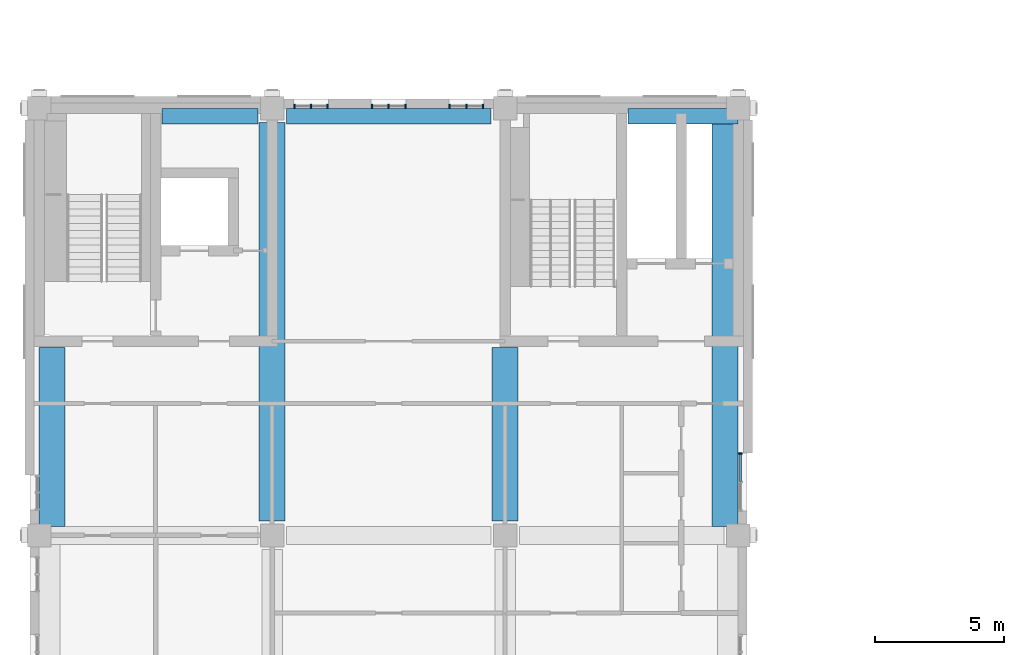
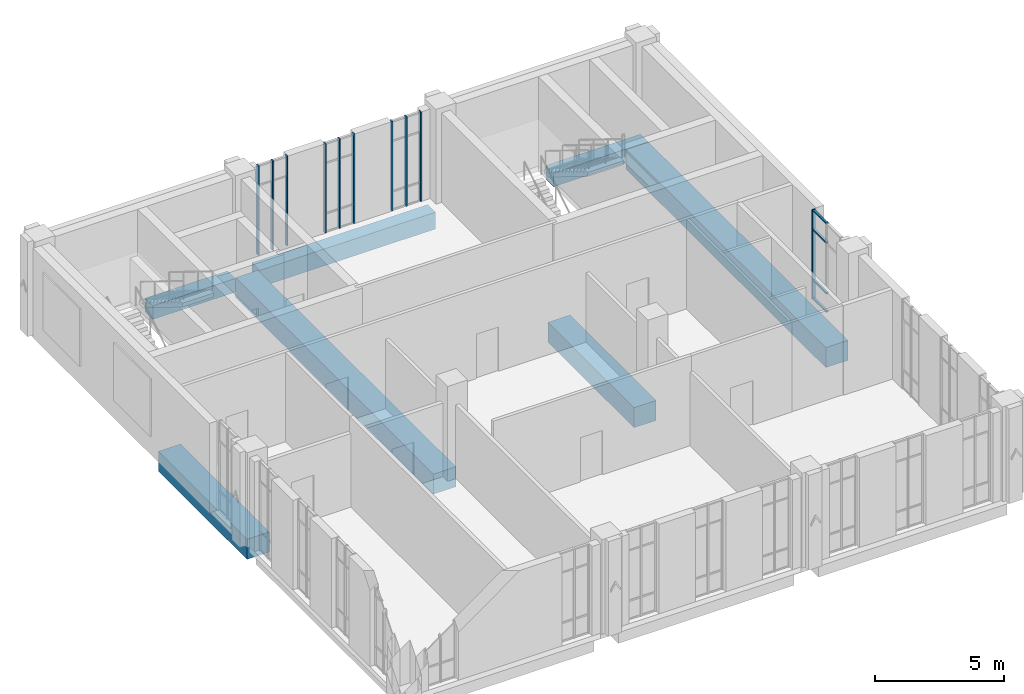
# One storey, part 5 of 25: 14 members, 7 beams, 4 elements without a shape of their own.
"""IFC4 building model written with IfcOpenShell, lengths in metres."""

import ifcopenshell
import ifcopenshell.guid

model = None  # the IFC model being written
_history = None  # IfcOwnerHistory: only IFC2X3 demands one
_inside = {}  # id of a spatial element -> (the spatial element, [elements in it])
_under = {}  # id of a project, library or spatial element -> (it, [spatial elements below it])
_declared = {}  # id of a project -> (the project, [libraries it declares])
_typed = {}  # id of a type object -> (the type object, [elements of that type])
_made_of = {}  # id of a material, layer set ... -> (it, [elements and type objects made of it])


def new_model(schema):
    """Start an empty IFC model of exactly this schema.

    Asked for "IFC4X3", IfcOpenShell would pick the latest addendum, in which some entities
    have other attributes; the version numbers below select the first issue.
    IFC2X3 requires an IfcOwnerHistory on every rooted entity: one is made here for all.
    """
    global model, _history
    if schema == "IFC4X3":
        model = ifcopenshell.file(schema_version=(4, 3, 0, 0))
    else:
        model = ifcopenshell.file(schema=schema)
    _inside.clear()
    _under.clear()
    _declared.clear()
    _typed.clear()
    _made_of.clear()
    _history = None
    if model.schema == "IFC2X3":
        org = make("IfcOrganization", Name="unknown")
        user = make(
            "IfcPersonAndOrganization",
            ThePerson=make("IfcPerson", FamilyName="unknown"),
            TheOrganization=org,
        )
        app = make(
            "IfcApplication",
            ApplicationDeveloper=org,
            Version="unknown",
            ApplicationFullName="unknown",
            ApplicationIdentifier="unknown",
        )
        _history = make(
            "IfcOwnerHistory",
            OwningUser=user,
            OwningApplication=app,
            ChangeAction="ADDED",
            CreationDate=0,
        )
    return model


def make(cls, **values):
    """One entity of the class cls with the attributes given. An attribute that is None is left unset."""
    return model.create_entity(
        cls, **{name: value for name, value in values.items() if value is not None}
    )


def rooted(cls, **values):
    """An entity with a GlobalId (a new one), such as an element, a storey or a relation."""
    return make(cls, GlobalId=ifcopenshell.guid.new(), OwnerHistory=_history, **values)


def si_unit(unit_type, name, prefix=None):
    """IfcSIUnit, for example si_unit("LENGTHUNIT", "METRE", prefix="MILLI")."""
    return make("IfcSIUnit", UnitType=unit_type, Prefix=prefix, Name=name)


def assignment(units):
    """IfcUnitAssignment: the units of a project."""
    return None if units is None else make("IfcUnitAssignment", Units=units)


def point(xyz):
    """IfcCartesianPoint."""
    return None if xyz is None else make("IfcCartesianPoint", Coordinates=xyz)


def direction(xyz):
    """IfcDirection."""
    return None if xyz is None else make("IfcDirection", DirectionRatios=xyz)


def frame(location, z_axis=None, x_axis=None):
    """IfcAxis2Placement3D, a coordinate frame: its origin and axes. An axis left out is left unset."""
    return make(
        "IfcAxis2Placement3D",
        Location=point(location),
        Axis=direction(z_axis),
        RefDirection=direction(x_axis),
    )


def frame_2d(location, x_axis=None):
    """IfcAxis2Placement2D, a coordinate frame in the plane: its origin and x axis."""
    return make(
        "IfcAxis2Placement2D", Location=point(location), RefDirection=direction(x_axis)
    )


def origin():
    """The frame at (0, 0, 0) with its axes left unset."""
    return frame((0.0, 0.0, 0.0))


def origin_2d():
    """The frame at (0, 0) in the plane with its x axis left unset."""
    return frame_2d((0.0, 0.0))


def place(relative_to, where):
    """IfcLocalPlacement: puts the frame where relative to a parent placement (None: the world)."""
    return make(
        "IfcLocalPlacement", PlacementRelTo=relative_to, RelativePlacement=where
    )


def context(
    kind, dimensions, precision=None, world=None, true_north=None, identifier=None
):
    """IfcGeometricRepresentationContext, for example the 3D "Model" context."""
    return make(
        "IfcGeometricRepresentationContext",
        ContextIdentifier=identifier,
        ContextType=kind,
        CoordinateSpaceDimension=dimensions,
        Precision=precision,
        WorldCoordinateSystem=world,
        TrueNorth=true_north,
    )


def subcontext(parent, identifier, kind, view, scale=None):
    """IfcGeometricRepresentationSubContext, for example "Body" below "Model"."""
    return make(
        "IfcGeometricRepresentationSubContext",
        ContextIdentifier=identifier,
        ContextType=kind,
        ParentContext=parent,
        TargetScale=scale,
        TargetView=view,
    )


def project(units=None, contexts=None):
    """IfcProject with its units and contexts."""
    return rooted(
        "IfcProject",
        Name="project",
        RepresentationContexts=contexts,
        UnitsInContext=assignment(units),
    )


def spatial(cls, under=None, at=None, **own):
    """A site, building, storey or space (cls), placed at a placement, below another one or the project."""
    s = rooted(cls, ObjectPlacement=at, **own)
    if under is not None:
        _under.setdefault(under.id(), (under, []))[1].append(s)
    return s


def profile(cls, at=None, kind="AREA", **sizes):
    """A parametric profile (cls). Its sizes go by their IFC names, for example OverallWidth=200.0."""
    return make(cls, ProfileType=kind, Position=at, **sizes)


def rectangle(**sizes):
    """IfcRectangleProfileDef."""
    return profile("IfcRectangleProfileDef", **sizes)


def extrude(swept, where, along, depth):
    """IfcExtrudedAreaSolid: the profile swept, set in the frame where, extruded along a direction by depth."""
    return make(
        "IfcExtrudedAreaSolid",
        SweptArea=swept,
        Position=where,
        ExtrudedDirection=direction(along),
        Depth=depth,
    )


def shape(context_of_items, identifier, shape_type, items):
    """IfcShapeRepresentation: the items that make up one representation, for example the "Body"."""
    return make(
        "IfcShapeRepresentation",
        ContextOfItems=context_of_items,
        RepresentationIdentifier=identifier,
        RepresentationType=shape_type,
        Items=items,
    )


def material(Name=None, Category=None):
    """IfcMaterial."""
    return make("IfcMaterial", Name=Name, Category=Category)


def layer(
    of_material, thickness, ventilated=None, Name=None, Category=None, Priority=None
):
    """IfcMaterialLayer: one layer of a wall or slab, of a material (None: an air gap)."""
    return make(
        "IfcMaterialLayer",
        Material=of_material,
        LayerThickness=thickness,
        IsVentilated=ventilated,
        Name=Name,
        Category=Category,
        Priority=Priority,
    )


def layer_set(layers, Name=None):
    """IfcMaterialLayerSet."""
    return make("IfcMaterialLayerSet", MaterialLayers=layers, LayerSetName=Name)


def material_profile(
    of_material, cross_section, Name=None, Category=None, Priority=None
):
    """IfcMaterialProfile: a cross section and its material."""
    return make(
        "IfcMaterialProfile",
        Name=Name,
        Material=of_material,
        Profile=cross_section,
        Priority=Priority,
        Category=Category,
    )


def profile_set(profiles, Name=None, composite=None):
    """IfcMaterialProfileSet."""
    return make(
        "IfcMaterialProfileSet",
        Name=Name,
        MaterialProfiles=profiles,
        CompositeProfile=composite,
    )


def made_of(thing, what):
    """Note that an element or type object is made of a material, layer set ...; save() writes the relation."""
    if what is not None:
        _made_of.setdefault(what.id(), (what, []))[1].append(thing)
    return thing


def type_object(cls, material=None, **own):
    """A type object (cls), such as IfcWallType, which elements share."""
    return made_of(rooted(cls, **own), material)


def element(
    cls,
    number,
    at=None,
    inside=None,
    cuts=None,
    type_object=None,
    material=None,
    context=None,
    identifier="Body",
    shape_type=None,
    held_by="IfcProductDefinitionShape",
    body=None,
    shapes=None,
    **own,
):
    """One element of the class cls, such as IfcWall. Its Tag is "e" and its number.

    at: its placement. inside: the storey or other place that contains it. cuts: it is an
    opening in that element (IfcRelVoidsElement). A single representation is given by context,
    identifier, shape_type and body (its items); several are given by shapes. held_by: the class
    of the entity that holds the representations. save() writes the other relations.
    """
    e = rooted(cls, Tag="e%d" % number, ObjectPlacement=at, **own)
    if body is not None:
        shapes = [shape(context, identifier, shape_type, body)]
    if shapes is not None:
        e.Representation = make(held_by, Representations=shapes)
    if inside is not None:
        _inside.setdefault(inside.id(), (inside, []))[1].append(e)
    if cuts is not None:
        rooted(
            "IfcRelVoidsElement", RelatingBuildingElement=cuts, RelatedOpeningElement=e
        )
    if type_object is not None:
        _typed.setdefault(type_object.id(), (type_object, []))[1].append(e)
    return made_of(e, material)


def aggregate(whole, parts):
    """IfcRelAggregates: a whole, such as a stair, and the parts it consists of."""
    return rooted("IfcRelAggregates", RelatingObject=whole, RelatedObjects=parts)


def save(model, path):
    """Write the relations noted so far, then the file.

    IfcRelAggregates (storeys below a building ...), IfcRelContainedInSpatialStructure (elements
    in a storey), IfcRelDefinesByType, IfcRelAssociatesMaterial and IfcRelDeclares: one each for
    every whole, place, type object, material and project.
    """
    for whole, parts in _under.values():
        aggregate(whole, parts)
    for where, things in _inside.values():
        rooted(
            "IfcRelContainedInSpatialStructure",
            RelatedElements=things,
            RelatingStructure=where,
        )
    for kind, things in _typed.values():
        rooted("IfcRelDefinesByType", RelatedObjects=things, RelatingType=kind)
    for what, things in _made_of.values():
        rooted("IfcRelAssociatesMaterial", RelatedObjects=things, RelatingMaterial=what)
    for by, libraries in _declared.values():
        rooted("IfcRelDeclares", RelatingContext=by, RelatedDefinitions=libraries)
    model.write(path)


model = new_model("IFC4")

# Units and contexts
model_context = context("Model", 3, precision=1e-05, world=origin(), true_north=direction((0.0, 1.0)))
body_context = subcontext(model_context, "Body", "Model", "MODEL_VIEW")
ifc_project = project(units=[si_unit("LENGTHUNIT", "METRE"), si_unit("AREAUNIT", "SQUARE_METRE"), si_unit("VOLUMEUNIT", "CUBIC_METRE"), si_unit("PLANEANGLEUNIT", "RADIAN"), si_unit("MASSUNIT", "GRAM", prefix="KILO")], contexts=[model_context])

# Site, building, storey
site_placement = place(None, origin())
site = spatial("IfcSite", under=ifc_project, at=site_placement, CompositionType="ELEMENT")
building_placement = place(site_placement, origin())
building = spatial("IfcBuilding", under=site, at=building_placement, Name="Aurelan Courthouse", CompositionType="ELEMENT")
storey_placement = place(building_placement, frame((0.0, 0.0, 44.39990234375)))
storey = spatial("IfcBuildingStorey", under=building, at=storey_placement, Name="L08", CompositionType="ELEMENT", Elevation=44.39990234375)

# Curtain wall, members
ifc_material_1 = material(Name="Bronze-finished aluminium and glass", Category="aluminium")
ifc_layer_1 = layer(ifc_material_1, 0.14990234375)
ifc_layer_set_1 = layer_set([ifc_layer_1], Name="Bronze-finished aluminium and glass")
curtain_wall_type_1 = type_object("IfcCurtainWallType", Name="Curtain wall 1350 x 4250", PredefinedType="NOTDEFINED", material=ifc_layer_set_1)
curtain_wall_1_placement = place(storey_placement, origin())
curtain_wall_1 = element("IfcCurtainWall", 1, at=curtain_wall_1_placement, inside=storey, type_object=curtain_wall_type_1, Name="Curtain wall CW-V5-L08-N01", PredefinedType="NOTDEFINED")
ifc_material_2 = material(Name="Bronze-finished aluminium", Category="aluminium")
ifc_material_profile_1 = material_profile(ifc_material_2, rectangle(XDim=0.14990234375, YDim=0.06005859375, at=origin_2d()), Name="Bronze mullion 60 x 150")
ifc_profile_set_1 = profile_set([ifc_material_profile_1], Name="Bronze-finished aluminium")
member_type_1 = type_object("IfcMemberType", Name="Curtain wall mullion 60 x 150", PredefinedType="MULLION", material=ifc_profile_set_1)
member_1_placement = place(storey_placement, frame((9.85498046875, 28.574951171875, 0.0), z_axis=(0.0, 0.0, 1.0), x_axis=(0.0, 1.0, 0.0)))
member_1 = element("IfcMember", 2, at=member_1_placement, type_object=member_type_1, Name="CW-V5-L08-N01 mullion 1", PredefinedType="MULLION", context=body_context, shape_type="SweptSolid", body=[
    extrude(rectangle(XDim=0.14990234375, YDim=0.06005859375, at=origin_2d()), origin(), (0.0, 0.0, 1.0), 4.25),
])
member_2_placement = place(storey_placement, frame((10.5, 28.574951171875, 0.0), z_axis=(0.0, 0.0, 1.0), x_axis=(0.0, 1.0, 0.0)))
member_2 = element("IfcMember", 3, at=member_2_placement, type_object=member_type_1, Name="CW-V5-L08-N01 mullion 2", PredefinedType="MULLION", context=body_context, shape_type="SweptSolid", body=[
    extrude(rectangle(XDim=0.14990234375, YDim=0.06005859375, at=origin_2d()), origin(), (0.0, 0.0, 1.0), 4.25),
])
member_3_placement = place(storey_placement, frame((11.14501953125, 28.574951171875, 0.0), z_axis=(0.0, 0.0, 1.0), x_axis=(0.0, 1.0, 0.0)))
member_3 = element("IfcMember", 4, at=member_3_placement, type_object=member_type_1, Name="CW-V5-L08-N01 mullion 3", PredefinedType="MULLION", context=body_context, shape_type="SweptSolid", body=[
    extrude(rectangle(XDim=0.14990234375, YDim=0.06005859375, at=origin_2d()), origin(), (0.0, 0.0, 1.0), 4.25),
])
aggregate(curtain_wall_1, [member_1, member_2, member_3])

curtain_wall_2_placement = place(storey_placement, origin())
curtain_wall_2 = element("IfcCurtainWall", 5, at=curtain_wall_2_placement, inside=storey, type_object=curtain_wall_type_1, Name="Curtain wall CW-V5-L08-N02", PredefinedType="NOTDEFINED")
member_4_placement = place(storey_placement, frame((12.85498046875, 28.574951171875, 0.0), z_axis=(0.0, 0.0, 1.0), x_axis=(0.0, 1.0, 0.0)))
member_4 = element("IfcMember", 6, at=member_4_placement, type_object=member_type_1, Name="CW-V5-L08-N02 mullion 1", PredefinedType="MULLION", context=body_context, shape_type="SweptSolid", body=[
    extrude(rectangle(XDim=0.14990234375, YDim=0.06005859375, at=origin_2d()), origin(), (0.0, 0.0, 1.0), 4.25),
])
member_5_placement = place(storey_placement, frame((13.5, 28.574951171875, 0.0), z_axis=(0.0, 0.0, 1.0), x_axis=(0.0, 1.0, 0.0)))
member_5 = element("IfcMember", 7, at=member_5_placement, type_object=member_type_1, Name="CW-V5-L08-N02 mullion 2", PredefinedType="MULLION", context=body_context, shape_type="SweptSolid", body=[
    extrude(rectangle(XDim=0.14990234375, YDim=0.06005859375, at=origin_2d()), origin(), (0.0, 0.0, 1.0), 4.25),
])
member_6_placement = place(storey_placement, frame((14.14501953125, 28.574951171875, 0.0), z_axis=(0.0, 0.0, 1.0), x_axis=(0.0, 1.0, 0.0)))
member_6 = element("IfcMember", 8, at=member_6_placement, type_object=member_type_1, Name="CW-V5-L08-N02 mullion 3", PredefinedType="MULLION", context=body_context, shape_type="SweptSolid", body=[
    extrude(rectangle(XDim=0.14990234375, YDim=0.06005859375, at=origin_2d()), origin(), (0.0, 0.0, 1.0), 4.25),
])
aggregate(curtain_wall_2, [member_4, member_5, member_6])

curtain_wall_3_placement = place(storey_placement, origin())
curtain_wall_3 = element("IfcCurtainWall", 9, at=curtain_wall_3_placement, inside=storey, type_object=curtain_wall_type_1, Name="Curtain wall CW-V5-L08-N03", PredefinedType="NOTDEFINED")
member_7_placement = place(storey_placement, frame((15.85498046875, 28.574951171875, 0.0), z_axis=(0.0, 0.0, 1.0), x_axis=(0.0, 1.0, 0.0)))
member_7 = element("IfcMember", 10, at=member_7_placement, type_object=member_type_1, Name="CW-V5-L08-N03 mullion 1", PredefinedType="MULLION", context=body_context, shape_type="SweptSolid", body=[
    extrude(rectangle(XDim=0.14990234375, YDim=0.06005859375, at=origin_2d()), origin(), (0.0, 0.0, 1.0), 4.25),
])
member_8_placement = place(storey_placement, frame((16.5, 28.574951171875, 0.0), z_axis=(0.0, 0.0, 1.0), x_axis=(0.0, 1.0, 0.0)))
member_8 = element("IfcMember", 11, at=member_8_placement, type_object=member_type_1, Name="CW-V5-L08-N03 mullion 2", PredefinedType="MULLION", context=body_context, shape_type="SweptSolid", body=[
    extrude(rectangle(XDim=0.14990234375, YDim=0.06005859375, at=origin_2d()), origin(), (0.0, 0.0, 1.0), 4.25),
])
member_9_placement = place(storey_placement, frame((17.14501953125, 28.574951171875, 0.0), z_axis=(0.0, 0.0, 1.0), x_axis=(0.0, 1.0, 0.0)))
member_9 = element("IfcMember", 12, at=member_9_placement, type_object=member_type_1, Name="CW-V5-L08-N03 mullion 3", PredefinedType="MULLION", context=body_context, shape_type="SweptSolid", body=[
    extrude(rectangle(XDim=0.14990234375, YDim=0.06005859375, at=origin_2d()), origin(), (0.0, 0.0, 1.0), 4.25),
])
aggregate(curtain_wall_3, [member_7, member_8, member_9])

ifc_layer_2 = layer(ifc_material_1, 0.14990234375)
ifc_layer_set_2 = layer_set([ifc_layer_2], Name="Bronze-finished aluminium and glass")
curtain_wall_type_2 = type_object("IfcCurtainWallType", Name="Curtain wall 2250 x 4250", PredefinedType="NOTDEFINED", material=ifc_layer_set_2)
curtain_wall_4_placement = place(storey_placement, origin())
curtain_wall_4 = element("IfcCurtainWall", 13, at=curtain_wall_4_placement, inside=storey, type_object=curtain_wall_type_2, Name="Curtain wall CW-V5-L08-E04", PredefinedType="NOTDEFINED")
member_10_placement = place(storey_placement, frame((27.074951171875, 15.157470703125, 0.0), z_axis=(0.0, 0.0, 1.0), x_axis=(-1.0, 0.0, 0.0)))
member_10 = element("IfcMember", 14, at=member_10_placement, type_object=member_type_1, Name="CW-V5-L08-E04 mullion 3", PredefinedType="MULLION", context=body_context, shape_type="SweptSolid", body=[
    extrude(rectangle(XDim=0.14990234375, YDim=0.06005859375, at=origin_2d()), origin(), (0.0, 0.0, 1.0), 4.25),
])
ifc_material_profile_2 = material_profile(ifc_material_2, rectangle(XDim=0.10009765625, YDim=0.06005859375, at=origin_2d()), Name="Bronze transom 60 x 100")
ifc_profile_set_2 = profile_set([ifc_material_profile_2], Name="Bronze-finished aluminium")
member_type_2 = type_object("IfcMemberType", Name="Curtain wall transom 60 x 100", PredefinedType="USERDEFINED", material=ifc_profile_set_2)
member_11_placement = place(storey_placement, frame((27.074951171875, 14.092529296875, 0.030029296875), z_axis=(0.0, 1.0, 0.0), x_axis=(-1.0, 0.0, 0.0)))
member_11 = element("IfcMember", 15, at=member_11_placement, type_object=member_type_2, Name="CW-V5-L08-E04 transom 2.1", ObjectType="TRANSOM", PredefinedType="USERDEFINED", context=body_context, shape_type="SweptSolid", body=[
    extrude(rectangle(XDim=0.10009765625, YDim=0.06005859375, at=origin_2d()), origin(), (0.0, 0.0, 1.0), 1.034912109375),
])
member_12_placement = place(storey_placement, frame((27.074951171875, 14.092529296875, 0.900146484375), z_axis=(0.0, 1.0, 0.0), x_axis=(-1.0, 0.0, 0.0)))
member_12 = element("IfcMember", 16, at=member_12_placement, type_object=member_type_2, Name="CW-V5-L08-E04 transom 2.2", ObjectType="TRANSOM", PredefinedType="USERDEFINED", context=body_context, shape_type="SweptSolid", body=[
    extrude(rectangle(XDim=0.10009765625, YDim=0.06005859375, at=origin_2d()), origin(), (0.0, 0.0, 1.0), 1.034912109375),
])
member_13_placement = place(storey_placement, frame((27.074951171875, 14.092529296875, 3.300048828125), z_axis=(0.0, 1.0, 0.0), x_axis=(-1.0, 0.0, 0.0)))
member_13 = element("IfcMember", 17, at=member_13_placement, type_object=member_type_2, Name="CW-V5-L08-E04 transom 2.3", ObjectType="TRANSOM", PredefinedType="USERDEFINED", context=body_context, shape_type="SweptSolid", body=[
    extrude(rectangle(XDim=0.10009765625, YDim=0.06005859375, at=origin_2d()), origin(), (0.0, 0.0, 1.0), 1.034912109375),
])
member_14_placement = place(storey_placement, frame((27.074951171875, 14.092529296875, 4.22021484375), z_axis=(0.0, 1.0, 0.0), x_axis=(-1.0, 0.0, 0.0)))
member_14 = element("IfcMember", 18, at=member_14_placement, type_object=member_type_2, Name="CW-V5-L08-E04 transom 2.4", ObjectType="TRANSOM", PredefinedType="USERDEFINED", context=body_context, shape_type="SweptSolid", body=[
    extrude(rectangle(XDim=0.10009765625, YDim=0.06005859375, at=origin_2d()), origin(), (0.0, 0.0, 1.0), 1.034912109375),
])
aggregate(curtain_wall_4, [member_10, member_11, member_12, member_13, member_14])

# Beams
ifc_material_3 = material(Name="Concrete C50", Category="concrete")
ifc_material_profile_3 = material_profile(ifc_material_3, rectangle(XDim=1.0, YDim=0.949951171875, at=origin_2d()), Name="RC 1000 x 950")
ifc_profile_set_3 = profile_set([ifc_material_profile_3], Name="Concrete C50")
beam_type_1 = type_object("IfcBeamType", Name="PT girder 1000 x 950", PredefinedType="BEAM", material=ifc_profile_set_3)
beam_1_placement = place(storey_placement, frame((0.5, 12.35009765625, -0.724853515625), z_axis=(0.0, 1.0, 0.0), x_axis=(-1.0, 0.0, 0.0)))
element("IfcBeam", 19, at=beam_1_placement, inside=storey, type_object=beam_type_1, Name="Girder GB-1BC-E", PredefinedType="BEAM", context=body_context, shape_type="SweptSolid", body=[
    extrude(rectangle(XDim=1.0, YDim=0.949951171875, at=origin_2d()), origin(), (0.0, 0.0, 1.0), 6.89990234375),
])
beam_2_placement = place(storey_placement, frame((9.0, 12.550048828125, -0.724853515625), z_axis=(0.0, 1.0, 0.0), x_axis=(-1.0, 0.0, 0.0)))
element("IfcBeam", 20, at=beam_2_placement, inside=storey, type_object=beam_type_1, Name="Girder GB-2BC", PredefinedType="BEAM", context=body_context, shape_type="SweptSolid", body=[
    extrude(rectangle(XDim=1.0, YDim=0.949951171875, at=origin_2d()), origin(), (0.0, 0.0, 1.0), 15.39990234375),
])
beam_3_placement = place(storey_placement, frame((18.0, 12.550048828125, -0.724853515625), z_axis=(0.0, 1.0, 0.0), x_axis=(-1.0, 0.0, 0.0)))
element("IfcBeam", 21, at=beam_3_placement, inside=storey, type_object=beam_type_1, Name="Girder GB-3BC", PredefinedType="BEAM", context=body_context, shape_type="SweptSolid", body=[
    extrude(rectangle(XDim=1.0, YDim=0.949951171875, at=origin_2d()), origin(), (0.0, 0.0, 1.0), 6.699951171875),
])
beam_4_placement = place(storey_placement, frame((26.5, 12.35009765625, -0.724853515625), z_axis=(0.0, 1.0, 0.0), x_axis=(-1.0, 0.0, 0.0)))
element("IfcBeam", 22, at=beam_4_placement, inside=storey, type_object=beam_type_1, Name="Girder GB-4BC-E", PredefinedType="BEAM", context=body_context, shape_type="SweptSolid", body=[
    extrude(rectangle(XDim=1.0, YDim=0.949951171875, at=origin_2d()), origin(), (0.0, 0.0, 1.0), 15.5498046875),
])
ifc_material_profile_4 = material_profile(ifc_material_3, rectangle(XDim=0.60009765625, YDim=0.64990234375, at=origin_2d()), Name="RC 600 x 650")
ifc_profile_set_4 = profile_set([ifc_material_profile_4], Name="Concrete C50")
beam_type_2 = type_object("IfcBeamType", Name="RC spandrel beam 600 x 650", PredefinedType="SPANDREL", material=ifc_profile_set_4)
beam_5_placement = place(storey_placement, frame((4.75, 28.199951171875, -0.574951171875), z_axis=(1.0, 0.0, 0.0), x_axis=(0.0, 1.0, 0.0)))
element("IfcBeam", 23, at=beam_5_placement, inside=storey, type_object=beam_type_2, Name="Spandrel beam SB-C-1-2", PredefinedType="SPANDREL", context=body_context, shape_type="SweptSolid", body=[
    extrude(rectangle(XDim=0.60009765625, YDim=0.64990234375, at=origin_2d()), origin(), (0.0, 0.0, 1.0), 3.699951171875),
])
beam_6_placement = place(storey_placement, frame((22.75, 28.199951171875, -0.574951171875), z_axis=(1.0, 0.0, 0.0), x_axis=(0.0, 1.0, 0.0)))
element("IfcBeam", 24, at=beam_6_placement, inside=storey, type_object=beam_type_2, Name="Spandrel beam SB-C-3-4", PredefinedType="SPANDREL", context=body_context, shape_type="SweptSolid", body=[
    extrude(rectangle(XDim=0.60009765625, YDim=0.64990234375, at=origin_2d()), origin(), (0.0, 0.0, 1.0), 4.25),
])
ifc_material_profile_5 = material_profile(ifc_material_3, rectangle(XDim=0.60009765625, YDim=0.800048828125, at=origin_2d()), Name="RC 600 x 800")
ifc_profile_set_5 = profile_set([ifc_material_profile_5], Name="Concrete C50")
beam_type_3 = type_object("IfcBeamType", Name="RC spandrel beam 600 x 800", PredefinedType="SPANDREL", material=ifc_profile_set_5)
beam_7_placement = place(storey_placement, frame((9.550048828125, 28.199951171875, -0.64990234375), z_axis=(1.0, 0.0, 0.0), x_axis=(0.0, 1.0, 0.0)))
element("IfcBeam", 25, at=beam_7_placement, inside=storey, type_object=beam_type_3, Name="Spandrel beam SB-C-2-3", PredefinedType="SPANDREL", context=body_context, shape_type="SweptSolid", body=[
    extrude(rectangle(XDim=0.60009765625, YDim=0.800048828125, at=origin_2d()), origin(), (0.0, 0.0, 1.0), 7.89990234375),
])

save(model, "model.ifc")
